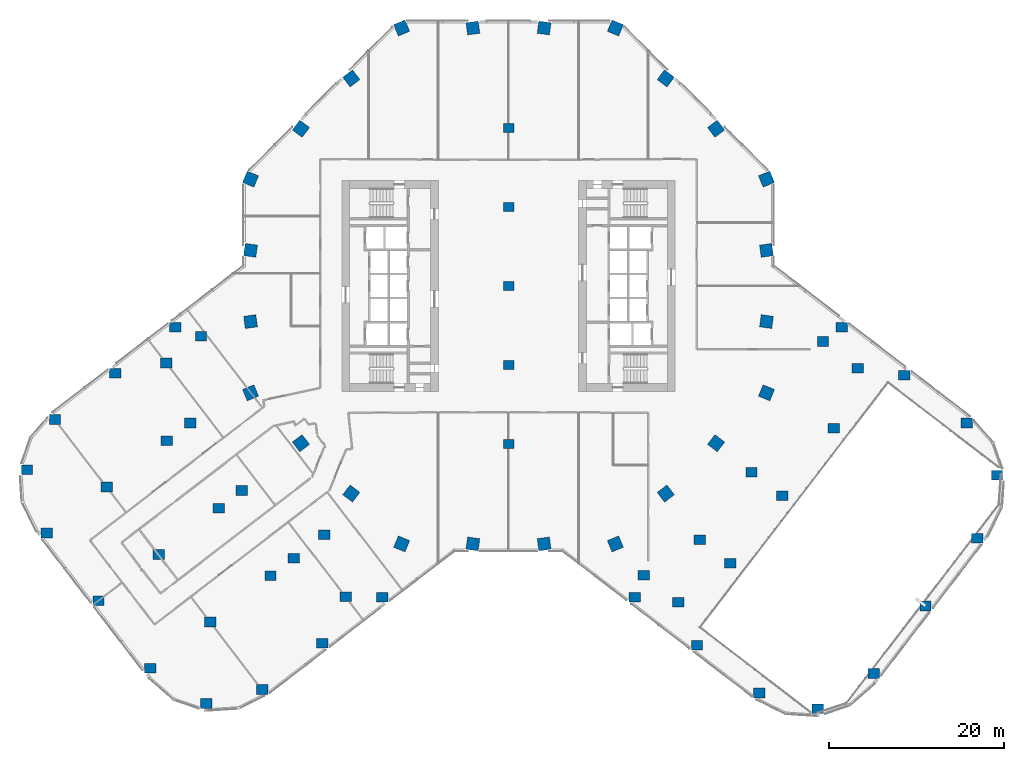
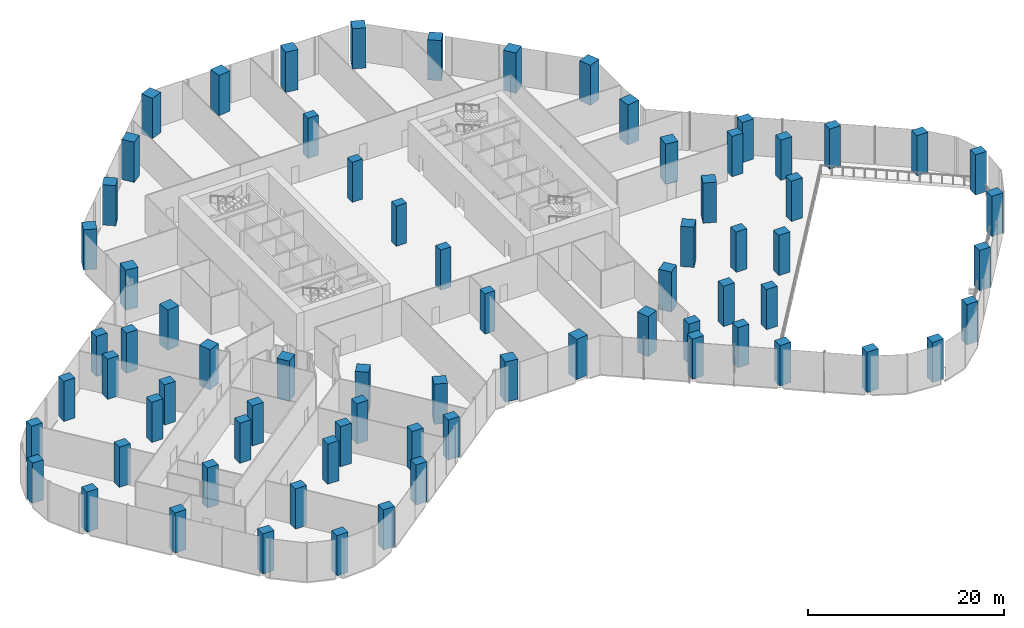
# One storey, part 1 of 29: 73 columns.
"""IFC4 building model written with IfcOpenShell, lengths in metres."""

from ifc_helpers import new_model, si_unit, direction, frame, origin, origin_2d, place, context, subcontext, project, spatial, rectangle, extrude, material, material_profile, profile_set, type_object, element, save


model = new_model("IFC4")

# Units and contexts
model_context = context("Model", 3, precision=1e-05, world=origin(), true_north=direction((0.0, 1.0)))
body_context = subcontext(model_context, "Body", "Model", "MODEL_VIEW")
ifc_project = project(units=[si_unit("LENGTHUNIT", "METRE"), si_unit("AREAUNIT", "SQUARE_METRE"), si_unit("VOLUMEUNIT", "CUBIC_METRE"), si_unit("PLANEANGLEUNIT", "RADIAN"), si_unit("MASSUNIT", "GRAM", prefix="KILO")], contexts=[model_context])

# Site, building, storey
site_placement = place(None, origin())
site = spatial("IfcSite", under=ifc_project, at=site_placement, CompositionType="ELEMENT")
building_placement = place(site_placement, origin())
building = spatial("IfcBuilding", under=site, at=building_placement, Name="Orlundy Tower", CompositionType="ELEMENT")
storey_placement = place(building_placement, frame((0.0, 0.0, 15.5)))
storey = spatial("IfcBuildingStorey", under=building, at=storey_placement, Name="L02", CompositionType="ELEMENT", Elevation=15.5)

# Columns
ifc_material_1 = material(Name="Concrete C80/95", Category="concrete")
ifc_material_profile_1 = material_profile(ifc_material_1, rectangle(XDim=1.199951171875, YDim=1.0, at=origin_2d()), Name="RC1200X1000")
ifc_profile_set_1 = profile_set([ifc_material_profile_1], Name="Concrete C80/95")
column_type_1 = type_object("IfcColumnType", Name="RC COLUMN RC1200X1000 C80/95", PredefinedType="COLUMN", material=ifc_profile_set_1)
for number, where, z_axis, x_axis, name in (
    (1, (0.0, -18.0, 0.0), (0.0, 0.0, 1.0), (1.0, 0.0, 0.0), "Column C-M1 L02"),
    (2, (0.0, -9.0, 0.0), (0.0, 0.0, 1.0), (1.0, 0.0, 0.0), "Column C-M2 L02"),
    (3, (0.0, 0.0, 0.0), (0.0, 0.0, 1.0), (1.0, 0.0, 0.0), "Column C-M3 L02"),
    (4, (0.0, 9.0, 0.0), (0.0, 0.0, 1.0), (1.0, 0.0, 0.0), "Column C-M4 L02"),
    (5, (0.0, 18.0, 0.0), (0.0, 0.0, 1.0), (1.0, 0.0, 0.0), "Column C-M5 L02"),
):
    element("IfcColumn", number, at=place(storey_placement, frame(where, z_axis=z_axis, x_axis=x_axis)), inside=storey, type_object=column_type_1, Name=name, PredefinedType="COLUMN", context=body_context, shape_type="SweptSolid", body=[
        extrude(rectangle(XDim=1.199951171875, YDim=1.0, at=origin_2d()), origin(), (0.0, 0.0, 1.0), 5.0),
    ])
ifc_material_2 = material(Name="Concrete C80/95", Category="concrete")
ifc_material_profile_2 = material_profile(ifc_material_2, rectangle(XDim=1.300048828125, YDim=1.10009765625, at=origin_2d()), Name="RC1300X1100")
ifc_profile_set_2 = profile_set([ifc_material_profile_2], Name="Concrete C80/95")
column_type_2 = type_object("IfcColumnType", Name="RC COLUMN RC1300X1100 C80/95", PredefinedType="COLUMN", material=ifc_profile_set_2)
for number, where, z_axis, x_axis, name in (
    (6, (14.37109375, -35.47998046875, 0.0), (0.0, 0.0, 1.0), (1.0, 0.0, 0.0), "Column C-A1-1 L02"),
    (7, (21.48388671875, -40.93896484375, 0.0), (0.0, 0.0, 1.0), (1.0, 0.0, 0.0), "Column C-A1-2 L02"),
    (8, (28.597900390625, -46.39697265625, 0.0), (0.0, 0.0, 1.0), (1.0, 0.0, 0.0), "Column C-A1-3 L02"),
    (9, (35.23095703125, -48.200927734375, 0.0), (0.0, 0.0, 1.0), (1.0, 0.0, 0.0), "Column C-A1-5 L02"),
    (10, (19.364013671875, -36.02587890625, 0.0), (0.0, 0.0, 1.0), (1.0, 0.0, 0.0), "Column C-A1-6 L02"),
    (11, (15.39697265625, -32.98193359375, 0.0), (0.0, 0.0, 1.0), (1.0, 0.0, 0.0), "Column C-A1-7 L02"),
    (12, (41.616943359375, -44.159912109375, 0.0), (0.0, 0.0, 1.0), (1.0, 0.0, 0.0), "Column C-A2-5 L02"),
    (13, (25.27392578125, -31.6201171875, 0.0), (0.0, 0.0, 1.0), (1.0, 0.0, 0.0), "Column C-A2-6 L02"),
    (14, (21.782958984375, -28.94091796875, 0.0), (0.0, 0.0, 1.0), (1.0, 0.0, 0.0), "Column C-A2-7 L02"),
    (15, (47.52197265625, -36.465087890625, 0.0), (0.0, 0.0, 1.0), (1.0, 0.0, 0.0), "Column C-A3-5 L02"),
    (16, (31.178955078125, -23.924072265625, 0.0), (0.0, 0.0, 1.0), (1.0, 0.0, 0.0), "Column C-A3-6 L02"),
    (17, (27.68798828125, -21.24609375, 0.0), (0.0, 0.0, 1.0), (1.0, 0.0, 0.0), "Column C-A3-7 L02"),
    (18, (53.427001953125, -28.76904296875, 0.0), (0.0, 0.0, 1.0), (1.0, 0.0, 0.0), "Column C-A4-5 L02"),
    (19, (37.083984375, -16.22900390625, 0.0), (0.0, 0.0, 1.0), (1.0, 0.0, 0.0), "Column C-A4-6 L02"),
    (20, (37.990966796875, -4.697998046875, 0.0), (0.0, 0.0, 1.0), (1.0, 0.0, 0.0), "Column C-A5-1 L02"),
    (21, (45.10400390625, -10.156982421875, 0.0), (0.0, 0.0, 1.0), (1.0, 0.0, 0.0), "Column C-A5-2 L02"),
    (22, (52.218017578125, -15.614990234375, 0.0), (0.0, 0.0, 1.0), (1.0, 0.0, 0.0), "Column C-A5-3 L02"),
    (23, (55.677001953125, -21.554931640625, 0.0), (0.0, 0.0, 1.0), (1.0, 0.0, 0.0), "Column C-A5-5 L02"),
    (24, (39.81005859375, -9.3798828125, 0.0), (0.0, 0.0, 1.0), (1.0, 0.0, 0.0), "Column C-A5-6 L02"),
    (25, (35.843017578125, -6.3359375, 0.0), (0.0, 0.0, 1.0), (1.0, 0.0, 0.0), "Column C-A5-7 L02"),
    (26, (-37.990966796875, -4.697998046875, 0.0), (0.0, 0.0, 1.0), (1.0, 0.0, 0.0), "Column C-B1-1 L02"),
    (27, (-44.840087890625, -9.9541015625, 0.0), (0.0, 0.0, 1.0), (1.0, 0.0, 0.0), "Column C-B1-2 L02"),
    (28, (-51.68701171875, -15.2119140625, 0.0), (0.0, 0.0, 1.0), (1.0, 0.0, 0.0), "Column C-B1-3 L02"),
    (29, (-54.884033203125, -20.946044921875, 0.0), (0.0, 0.0, 1.0), (1.0, 0.0, 0.0), "Column C-B1-5 L02"),
    (30, (-39.01611328125, -8.77099609375, 0.0), (0.0, 0.0, 1.0), (1.0, 0.0, 0.0), "Column C-B1-6 L02"),
    (31, (-35.050048828125, -5.72705078125, 0.0), (0.0, 0.0, 1.0), (1.0, 0.0, 0.0), "Column C-B1-7 L02"),
    (32, (-38.93505859375, -17.64892578125, 0.0), (0.0, 0.0, 1.0), (1.0, 0.0, 0.0), "Column C-B2-2 L02"),
    (33, (-45.783935546875, -22.905029296875, 0.0), (0.0, 0.0, 1.0), (1.0, 0.0, 0.0), "Column C-B2-3 L02"),
    (34, (-52.633056640625, -28.160888671875, 0.0), (0.0, 0.0, 1.0), (1.0, 0.0, 0.0), "Column C-B2-5 L02"),
    (35, (-36.2900390625, -15.6201171875, 0.0), (0.0, 0.0, 1.0), (1.0, 0.0, 0.0), "Column C-B2-6 L02"),
    (36, (-33.030029296875, -25.344970703125, 0.0), (0.0, 0.0, 1.0), (1.0, 0.0, 0.0), "Column C-B3-2 L02"),
    (37, (-39.87890625, -30.60009765625, 0.0), (0.0, 0.0, 1.0), (1.0, 0.0, 0.0), "Column C-B3-3 L02"),
    (38, (-46.72900390625, -35.85595703125, 0.0), (0.0, 0.0, 1.0), (1.0, 0.0, 0.0), "Column C-B3-5 L02"),
    (39, (-30.385009765625, -23.31591796875, 0.0), (0.0, 0.0, 1.0), (1.0, 0.0, 0.0), "Column C-B3-6 L02"),
    (40, (-27.125, -33.0400390625, 0.0), (0.0, 0.0, 1.0), (1.0, 0.0, 0.0), "Column C-B4-2 L02"),
    (41, (-33.97412109375, -38.2958984375, 0.0), (0.0, 0.0, 1.0), (1.0, 0.0, 0.0), "Column C-B4-3 L02"),
    (42, (-40.823974609375, -43.552001953125, 0.0), (0.0, 0.0, 1.0), (1.0, 0.0, 0.0), "Column C-B4-5 L02"),
    (43, (-24.47998046875, -31.010986328125, 0.0), (0.0, 0.0, 1.0), (1.0, 0.0, 0.0), "Column C-B4-6 L02"),
    (44, (-20.989990234375, -28.3330078125, 0.0), (0.0, 0.0, 1.0), (1.0, 0.0, 0.0), "Column C-B4-7 L02"),
    (45, (-14.37109375, -35.47998046875, 0.0), (0.0, 0.0, 1.0), (1.0, 0.0, 0.0), "Column C-B5-1 L02"),
    (46, (-21.219970703125, -40.736083984375, 0.0), (0.0, 0.0, 1.0), (1.0, 0.0, 0.0), "Column C-B5-2 L02"),
    (47, (-28.072021484375, -45.988037109375, 0.0), (0.0, 0.0, 1.0), (1.0, 0.0, 0.0), "Column C-B5-3 L02"),
    (48, (-34.43701171875, -47.592041015625, 0.0), (0.0, 0.0, 1.0), (1.0, 0.0, 0.0), "Column C-B5-5 L02"),
    (49, (-18.570068359375, -35.4169921875, 0.0), (0.0, 0.0, 1.0), (1.0, 0.0, 0.0), "Column C-B5-6 L02"),
):
    element("IfcColumn", number, at=place(storey_placement, frame(where, z_axis=z_axis, x_axis=x_axis)), inside=storey, type_object=column_type_2, Name=name, PredefinedType="COLUMN", context=body_context, shape_type="SweptSolid", body=[
        extrude(rectangle(XDim=1.300048828125, YDim=1.10009765625, at=origin_2d()), origin(), (0.0, 0.0, 1.0), 5.0),
    ])
ifc_material_3 = material(Name="Concrete C80/95", Category="concrete")
ifc_material_profile_3 = material_profile(ifc_material_3, rectangle(XDim=1.39990234375, YDim=1.39990234375, at=origin_2d()), Name="RC1400X1400")
ifc_profile_set_3 = profile_set([ifc_material_profile_3], Name="Concrete C80/95")
column_type_3 = type_object("IfcColumnType", Name="RC COLUMN RC1400X1400 C80/95", PredefinedType="COLUMN", material=ifc_profile_set_3)
for number, where, z_axis, x_axis, name in (
    (50, (29.39990234375, 12.177978515625, 0.0), (0.0, 0.0, 1.0), (0.923879532511, 0.382683432365, 0.0), "Column C-H01 L02"),
    (51, (29.39990234375, 4.05908203125, 0.0), (0.0, 0.0, 1.0), (0.990602789303, 0.136770295844, 0.0), "Column C-H02 L02"),
    (52, (29.39990234375, -4.05908203125, 0.0), (0.0, 0.0, 1.0), (0.990602789303, -0.136770295844, 0.0), "Column C-H03 L02"),
    (53, (29.39990234375, -12.177978515625, 0.0), (0.0, 0.0, 1.0), (0.923879532511, -0.382683432365, 0.0), "Column C-H04 L02"),
    (54, (23.658935546875, -17.9189453125, 0.0), (0.0, 0.0, 1.0), (0.797162615875, -0.603764659327, 0.0), "Column C-H05 L02"),
    (55, (17.9189453125, -23.658935546875, 0.0), (0.0, 0.0, 1.0), (0.603764659327, -0.797162615875, 0.0), "Column C-H06 L02"),
    (56, (12.177978515625, -29.39990234375, 0.0), (0.0, 0.0, 1.0), (0.382683432365, -0.923879532511, 0.0), "Column C-H07 L02"),
    (57, (4.05908203125, -29.39990234375, 0.0), (0.0, 0.0, 1.0), (0.136770295844, -0.990602789303, 0.0), "Column C-H08 L02"),
    (58, (-4.05908203125, -29.39990234375, 0.0), (0.0, 0.0, 1.0), (-0.136770295844, -0.990602789303, 0.0), "Column C-H09 L02"),
    (59, (-12.177978515625, -29.39990234375, 0.0), (0.0, 0.0, 1.0), (-0.382683432365, -0.923879532511, 0.0), "Column C-H10 L02"),
    (60, (-17.9189453125, -23.658935546875, 0.0), (0.0, 0.0, 1.0), (-0.603764659327, -0.797162615875, 0.0), "Column C-H11 L02"),
    (61, (-23.658935546875, -17.9189453125, 0.0), (0.0, 0.0, 1.0), (-0.797162615875, -0.603764659327, 0.0), "Column C-H12 L02"),
    (62, (-29.39990234375, -12.177978515625, 0.0), (0.0, 0.0, 1.0), (-0.923879532511, -0.382683432365, 0.0), "Column C-H13 L02"),
    (63, (-29.39990234375, -4.05908203125, 0.0), (0.0, 0.0, 1.0), (-0.990602789303, -0.136770295844, 0.0), "Column C-H14 L02"),
    (64, (-29.39990234375, 4.05908203125, 0.0), (0.0, 0.0, 1.0), (-0.990602789303, 0.136770295844, 0.0), "Column C-H15 L02"),
    (65, (-29.39990234375, 12.177978515625, 0.0), (0.0, 0.0, 1.0), (-0.923879532511, 0.382683432365, 0.0), "Column C-H16 L02"),
    (66, (-23.658935546875, 17.9189453125, 0.0), (0.0, 0.0, 1.0), (-0.797162615875, 0.603764659327, 0.0), "Column C-H17 L02"),
    (67, (-17.9189453125, 23.658935546875, 0.0), (0.0, 0.0, 1.0), (-0.603764659327, 0.797162615875, 0.0), "Column C-H18 L02"),
    (68, (-12.177978515625, 29.39990234375, 0.0), (0.0, 0.0, 1.0), (-0.382683432365, 0.923879532511, 0.0), "Column C-H19 L02"),
    (69, (-4.05908203125, 29.39990234375, 0.0), (0.0, 0.0, 1.0), (-0.136770295844, 0.990602789303, 0.0), "Column C-H20 L02"),
    (70, (4.05908203125, 29.39990234375, 0.0), (0.0, 0.0, 1.0), (0.136770295844, 0.990602789303, 0.0), "Column C-H21 L02"),
    (71, (12.177978515625, 29.39990234375, 0.0), (0.0, 0.0, 1.0), (0.382683432365, 0.923879532511, 0.0), "Column C-H22 L02"),
    (72, (17.9189453125, 23.658935546875, 0.0), (0.0, 0.0, 1.0), (0.603764659327, 0.797162615875, 0.0), "Column C-H23 L02"),
    (73, (23.658935546875, 17.9189453125, 0.0), (0.0, 0.0, 1.0), (0.797162615875, 0.603764659327, 0.0), "Column C-H24 L02"),
):
    element("IfcColumn", number, at=place(storey_placement, frame(where, z_axis=z_axis, x_axis=x_axis)), inside=storey, type_object=column_type_3, Name=name, PredefinedType="COLUMN", context=body_context, shape_type="SweptSolid", body=[
        extrude(rectangle(XDim=1.39990234375, YDim=1.39990234375, at=origin_2d()), origin(), (0.0, 0.0, 1.0), 5.0),
    ])

save(model, "model.ifc")
